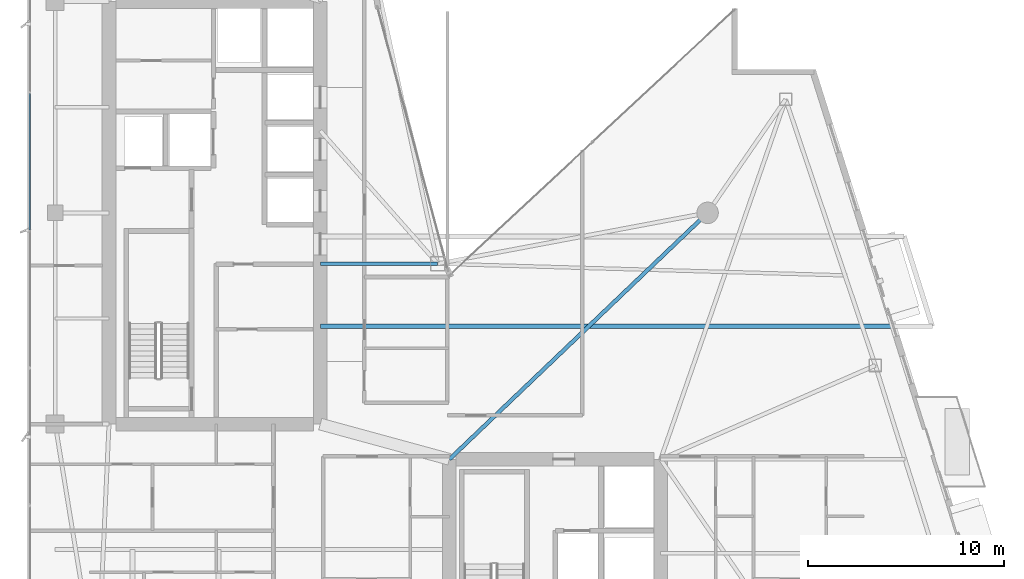
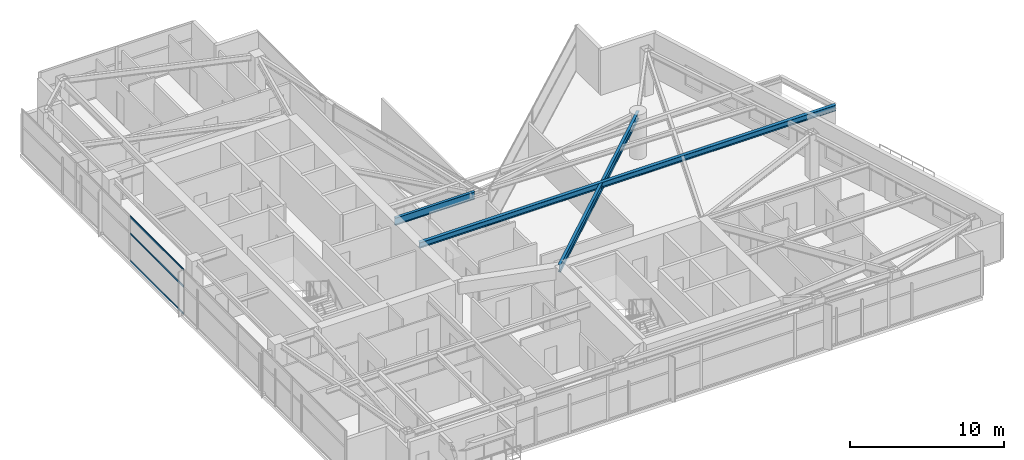
# One storey, part 9 of 27: 3 beams, 3 members, 1 element without a shape of its own.
"""IFC4 building model written with IfcOpenShell, lengths in metres."""

from ifc_helpers import new_model, si_unit, direction, frame, origin, origin_2d, place, context, subcontext, project, spatial, hollow_rectangle, i_section, extrude, material, layer, layer_set, material_profile, profile_set, type_object, element, aggregate, save


model = new_model("IFC4")

# Units and contexts
model_context = context("Model", 3, precision=1e-05, world=origin(), true_north=direction((0.0, 1.0)))
body_context = subcontext(model_context, "Body", "Model", "MODEL_VIEW")
ifc_project = project(units=[si_unit("LENGTHUNIT", "METRE"), si_unit("AREAUNIT", "SQUARE_METRE"), si_unit("VOLUMEUNIT", "CUBIC_METRE"), si_unit("PLANEANGLEUNIT", "RADIAN"), si_unit("MASSUNIT", "GRAM", prefix="KILO")], contexts=[model_context])

# Site, building, storey
site_placement = place(None, origin())
site = spatial("IfcSite", under=ifc_project, at=site_placement, CompositionType="ELEMENT")
building_placement = place(site_placement, origin())
building = spatial("IfcBuilding", under=site, at=building_placement, Name="Calvorn Quay Hotel", CompositionType="ELEMENT")
storey_placement = place(building_placement, frame((0.0, 0.0, 226.89990234375)))
storey = spatial("IfcBuildingStorey", under=building, at=storey_placement, Name="L56", CompositionType="ELEMENT", Elevation=226.89990234375)

# Beams
ifc_material_1 = material(Name="Steel Q355B", Category="steel")
ifc_material_profile_1 = material_profile(ifc_material_1, i_section(OverallWidth=0.25, OverallDepth=0.449951171875, WebThickness=0.011962890625, FlangeThickness=0.01611328125, FilletRadius=0.01611328125, at=origin_2d()), Name="HN450x250x12x16")
ifc_profile_set_1 = profile_set([ifc_material_profile_1], Name="Steel Q355B")
beam_type_1 = type_object("IfcBeamType", Name="BM-CANT-BALC", PredefinedType="BEAM", material=ifc_profile_set_1)
beam_1_placement = place(storey_placement, frame((15.0, 21.800048828125, 3.315185546875), z_axis=(1.0, 0.0, 0.0), x_axis=(0.0, 1.0, 0.0)))
element("IfcBeam", 1, at=beam_1_placement, inside=storey, type_object=beam_type_1, Name="Cantilever Balcony Beam BCB-L57-1A", PredefinedType="BEAM", context=body_context, shape_type="SweptSolid", body=[
    extrude(i_section(OverallWidth=0.25, OverallDepth=0.449951171875, WebThickness=0.011962890625, FlangeThickness=0.01611328125, FilletRadius=0.01611328125, at=origin_2d()), origin(), (0.0, 0.0, 1.0), 31.285888671875),
])
ifc_material_2 = material(Name="Steel Q355B", Category="steel")
ifc_material_profile_2 = material_profile(ifc_material_2, i_section(OverallWidth=0.199951171875, OverallDepth=0.60009765625, WebThickness=0.010986328125, FlangeThickness=0.01708984375, FilletRadius=0.01806640625, at=origin_2d()), Name="HN600x200x11x17")
ifc_profile_set_2 = profile_set([ifc_material_profile_2], Name="Steel Q355B")
beam_type_2 = type_object("IfcBeamType", Name="BM-GIRD-TYP", PredefinedType="BEAM", material=ifc_profile_set_2)
beam_2_placement = place(storey_placement, frame((21.0, 25.0, 3.239990234375), z_axis=(-1.0, 0.0, 0.0), x_axis=(0.0, -1.0, 0.0)))
element("IfcBeam", 2, at=beam_2_placement, inside=storey, type_object=beam_type_2, Name="Beam BG-L56-W7", PredefinedType="BEAM", context=body_context, shape_type="SweptSolid", body=[
    extrude(i_section(OverallWidth=0.199951171875, OverallDepth=0.60009765625, WebThickness=0.010986328125, FlangeThickness=0.01708984375, FilletRadius=0.01806640625, at=origin_2d()), origin(), (0.0, 0.0, 1.0), 6.0),
])
beam_3_placement = place(storey_placement, frame((21.60009765625, 15.0, 3.239990234375), z_axis=(0.723351595578, 0.690479883252, 0.0), x_axis=(-0.690479883252, 0.723351595578, 0.0)))
element("IfcBeam", 3, at=beam_3_placement, inside=storey, type_object=beam_type_2, Name="Beam BG-L56-E4", PredefinedType="BEAM", context=body_context, shape_type="SweptSolid", body=[
    extrude(i_section(OverallWidth=0.199951171875, OverallDepth=0.60009765625, WebThickness=0.010986328125, FlangeThickness=0.01708984375, FilletRadius=0.01806640625, at=origin_2d()), origin(), (0.0, 0.0, 1.0), 18.248291015625),
])

# Curtain wall, members
ifc_material_3 = material(Name="Champagne Bronze Anodised Aluminium and Low-E Glass", Category="aluminium")
ifc_layer = layer(ifc_material_3, 0.219970703125)
ifc_layer_set = layer_set([ifc_layer], Name="CW-SYS-Z3")
curtain_wall_type = type_object("IfcCurtainWallType", Name="CW-SYS-Z3", PredefinedType="NOTDEFINED", material=ifc_layer_set)
curtain_wall_placement = place(storey_placement, origin())
curtain_wall = element("IfcCurtainWall", 4, at=curtain_wall_placement, inside=storey, type_object=curtain_wall_type, Name="Tower West Curtain Wall (L56)", PredefinedType="NOTDEFINED")
ifc_material_4 = material(Name="Champagne Bronze Anodised Aluminium 6063-T6", Category="aluminium")
ifc_material_profile_3 = material_profile(ifc_material_4, hollow_rectangle(XDim=0.05810546875, YDim=0.139892578125, WallThickness=0.003173828125, at=origin_2d()), Name="ALU-T140x58x3.2")
ifc_profile_set_3 = profile_set([ifc_material_profile_3], Name="Champagne Bronze Anodised Aluminium 6063-T6")
member_type = type_object("IfcMemberType", Name="CW-SYS-Z3-TRN", PredefinedType="USERDEFINED", material=ifc_profile_set_3)
member_1_placement = place(storey_placement, frame((0.14990234375, 26.72998046875, 0.030029296875), z_axis=(0.0, 1.0, 0.0), x_axis=(-1.0, 0.0, 0.0)))
member_1 = element("IfcMember", 5, at=member_1_placement, type_object=member_type, Name="CW-L56-W transom 4.1", ObjectType="TRANSOM", PredefinedType="USERDEFINED", context=body_context, shape_type="SweptSolid", body=[
    extrude(hollow_rectangle(XDim=0.05810546875, YDim=0.139892578125, WallThickness=0.003173828125, at=origin_2d()), origin(), (0.0, 0.0, 1.0), 6.973388671875),
])
member_2_placement = place(storey_placement, frame((0.14990234375, 26.72998046875, 2.2001953125), z_axis=(0.0, 1.0, 0.0), x_axis=(-1.0, 0.0, 0.0)))
member_2 = element("IfcMember", 6, at=member_2_placement, type_object=member_type, Name="CW-L56-W transom 4.2", ObjectType="TRANSOM", PredefinedType="USERDEFINED", context=body_context, shape_type="SweptSolid", body=[
    extrude(hollow_rectangle(XDim=0.05810546875, YDim=0.139892578125, WallThickness=0.003173828125, at=origin_2d()), origin(), (0.0, 0.0, 1.0), 6.973388671875),
])
member_3_placement = place(storey_placement, frame((0.14990234375, 26.72998046875, 3.530029296875), z_axis=(0.0, 1.0, 0.0), x_axis=(-1.0, 0.0, 0.0)))
member_3 = element("IfcMember", 7, at=member_3_placement, type_object=member_type, Name="CW-L56-W transom 4.3", ObjectType="TRANSOM", PredefinedType="USERDEFINED", context=body_context, shape_type="SweptSolid", body=[
    extrude(hollow_rectangle(XDim=0.05810546875, YDim=0.139892578125, WallThickness=0.003173828125, at=origin_2d()), origin(), (0.0, 0.0, 1.0), 6.973388671875),
])
aggregate(curtain_wall, [member_1, member_2, member_3])

save(model, "model.ifc")
